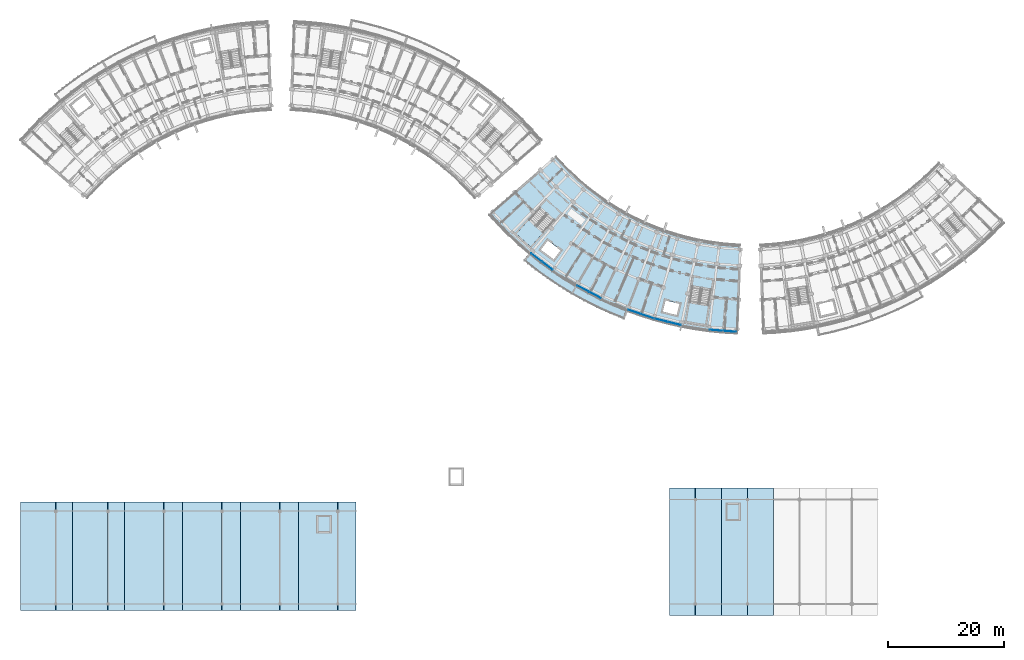
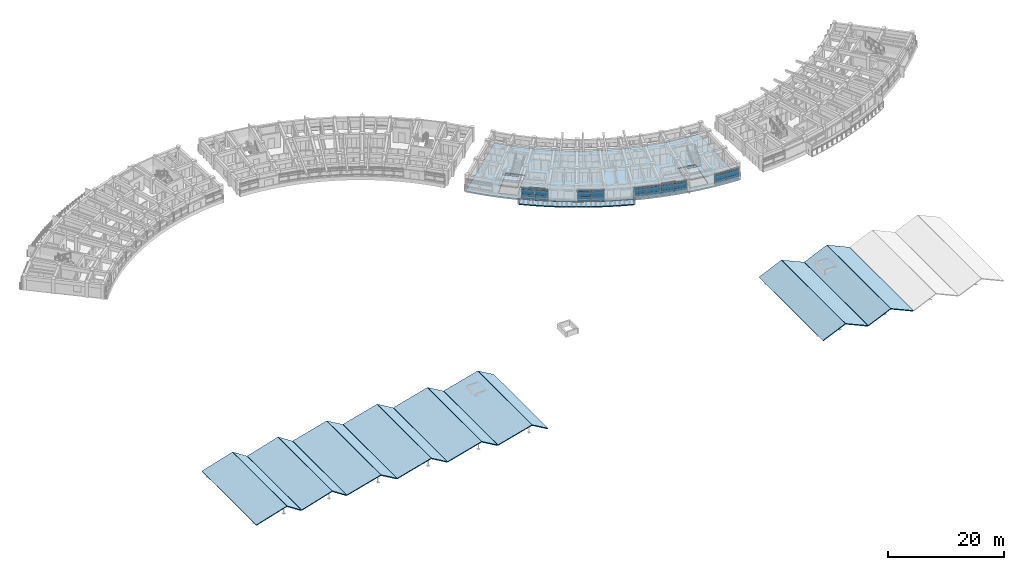
# One storey, part 31 of 70: 30 plates, 20 slabs, 7 elements without a shape of their own.
"""IFC4 building model written with IfcOpenShell, lengths in metres."""

from ifc_helpers import new_model, si_unit, direction, frame, origin, origin_2d, place, context, subcontext, project, spatial, polyline, rectangle, outline, extrude, material, layer, layer_set, type_object, element, aggregate, save


model = new_model("IFC4")

# Units and contexts
model_context = context("Model", 3, precision=1e-05, world=origin(), true_north=direction((0.0, 1.0)))
body_context = subcontext(model_context, "Body", "Model", "MODEL_VIEW")
ifc_project = project(units=[si_unit("LENGTHUNIT", "METRE"), si_unit("AREAUNIT", "SQUARE_METRE"), si_unit("VOLUMEUNIT", "CUBIC_METRE"), si_unit("PLANEANGLEUNIT", "RADIAN"), si_unit("MASSUNIT", "GRAM", prefix="KILO")], contexts=[model_context])

# Site, building, storey
site_placement = place(None, origin())
site = spatial("IfcSite", under=ifc_project, at=site_placement, CompositionType="ELEMENT")
building_placement = place(site_placement, origin())
building = spatial("IfcBuilding", under=site, at=building_placement, Name="Zimvara Arc Housing Community", CompositionType="ELEMENT")
storey_placement = place(building_placement, frame((0.0, 0.0, 8.10009765625)))
storey = spatial("IfcBuildingStorey", under=building, at=storey_placement, Name="L02", CompositionType="ELEMENT", Elevation=8.10009765625)

# Curtain wall, plates
ifc_material_1 = material(Name="Anodised Aluminium AW-6063", Category="aluminium")
curtain_wall_type_1 = type_object("IfcCurtainWallType", Name="CW-SYS-05", PredefinedType="USERDEFINED", material=ifc_material_1)
curtain_wall_1_placement = place(storey_placement, origin())
curtain_wall_1 = element("IfcCurtainWall", 1, at=curtain_wall_1_placement, inside=storey, type_object=curtain_wall_type_1, Name="cw:blkC:L02:out:b6", ObjectType="CURTAIN WALL", PredefinedType="USERDEFINED")
ifc_material_2 = material(Name="Solar Control Low-E Double Glazing", Category="glass")
ifc_layer_1 = layer(ifc_material_2, 0.02392578125)
ifc_layer_set_1 = layer_set([ifc_layer_1], Name="Solar Control Low-E Double Glazing")
plate_type_1 = type_object("IfcPlateType", Name="CWP-GLZ-24", PredefinedType="CURTAIN_PANEL", material=ifc_layer_set_1)
plate_1_placement = place(storey_placement, frame((105.970458984375, 53.993408203125, 0.06494140625), z_axis=(0.0, 0.0, 1.0), x_axis=(0.947879647164, -0.318628583921, 0.0)))
plate_1 = element("IfcPlate", 2, at=plate_1_placement, type_object=plate_type_1, Name="CW05 panel 1.1", PredefinedType="CURTAIN_PANEL", context=body_context, shape_type="SweptSolid", body=[
    extrude(rectangle(XDim=2.266845703125, YDim=0.02392578125, at=origin_2d()), origin(), (0.0, 0.0, 1.0), 0.75244140625),
])
plate_2_placement = place(storey_placement, frame((105.970458984375, 53.993408203125, 0.88232421875), z_axis=(0.0, 0.0, 1.0), x_axis=(0.947879647164, -0.318628583921, 0.0)))
plate_2 = element("IfcPlate", 3, at=plate_2_placement, type_object=plate_type_1, Name="CW05 panel 1.2", PredefinedType="CURTAIN_PANEL", context=body_context, shape_type="SweptSolid", body=[
    extrude(rectangle(XDim=2.266845703125, YDim=0.02392578125, at=origin_2d()), origin(), (0.0, 0.0, 1.0), 0.885009765625),
])
plate_3_placement = place(storey_placement, frame((105.970458984375, 53.993408203125, 1.832275390625), z_axis=(0.0, 0.0, 1.0), x_axis=(0.947879647164, -0.318628583921, 0.0)))
plate_3 = element("IfcPlate", 4, at=plate_3_placement, type_object=plate_type_1, Name="CW05 panel 1.3", PredefinedType="CURTAIN_PANEL", context=body_context, shape_type="SweptSolid", body=[
    extrude(rectangle(XDim=2.266845703125, YDim=0.02392578125, at=origin_2d()), origin(), (0.0, 0.0, 1.0), 0.3525390625),
])
plate_4_placement = place(storey_placement, frame((108.180908203125, 53.250244140625, 0.06494140625), z_axis=(0.0, 0.0, 1.0), x_axis=(0.947879647164, -0.318628583921, 0.0)))
plate_4 = element("IfcPlate", 5, at=plate_4_placement, type_object=plate_type_1, Name="CW05 panel 2.1", PredefinedType="CURTAIN_PANEL", context=body_context, shape_type="SweptSolid", body=[
    extrude(rectangle(XDim=2.266845703125, YDim=0.02392578125, at=origin_2d()), origin(), (0.0, 0.0, 1.0), 0.75244140625),
])
plate_5_placement = place(storey_placement, frame((108.180908203125, 53.250244140625, 0.88232421875), z_axis=(0.0, 0.0, 1.0), x_axis=(0.947879647164, -0.318628583921, 0.0)))
plate_5 = element("IfcPlate", 6, at=plate_5_placement, type_object=plate_type_1, Name="CW05 panel 2.2", PredefinedType="CURTAIN_PANEL", context=body_context, shape_type="SweptSolid", body=[
    extrude(rectangle(XDim=2.266845703125, YDim=0.02392578125, at=origin_2d()), origin(), (0.0, 0.0, 1.0), 0.885009765625),
])
plate_6_placement = place(storey_placement, frame((108.180908203125, 53.250244140625, 1.832275390625), z_axis=(0.0, 0.0, 1.0), x_axis=(0.947879647164, -0.318628583921, 0.0)))
plate_6 = element("IfcPlate", 7, at=plate_6_placement, type_object=plate_type_1, Name="CW05 panel 2.3", PredefinedType="CURTAIN_PANEL", context=body_context, shape_type="SweptSolid", body=[
    extrude(rectangle(XDim=2.266845703125, YDim=0.02392578125, at=origin_2d()), origin(), (0.0, 0.0, 1.0), 0.3525390625),
])
aggregate(curtain_wall_1, [plate_1, plate_2, plate_3, plate_4, plate_5, plate_6])

ifc_material_3 = material(Name="Anodised Aluminium AW-6063", Category="aluminium")
curtain_wall_type_2 = type_object("IfcCurtainWallType", Name="CW-SYS-01", PredefinedType="USERDEFINED", material=ifc_material_3)
curtain_wall_2_placement = place(storey_placement, origin())
curtain_wall_2 = element("IfcCurtainWall", 8, at=curtain_wall_2_placement, inside=storey, type_object=curtain_wall_type_2, Name="cw:blkC:L02:out:b9", ObjectType="CURTAIN WALL", PredefinedType="USERDEFINED")
plate_7_placement = place(storey_placement, frame((120.121337890625, 50.807861328125, 0.06494140625), z_axis=(0.0, 0.0, 1.0), x_axis=(0.996862418963, -0.079153759607, 0.0)))
plate_7 = element("IfcPlate", 9, at=plate_7_placement, type_object=plate_type_1, Name="CW01 panel 1.1", PredefinedType="CURTAIN_PANEL", context=body_context, shape_type="SweptSolid", body=[
    extrude(rectangle(XDim=2.266845703125, YDim=0.02392578125, at=origin_2d()), origin(), (0.0, 0.0, 1.0), 0.75244140625),
])
plate_8_placement = place(storey_placement, frame((120.121337890625, 50.807861328125, 0.88232421875), z_axis=(0.0, 0.0, 1.0), x_axis=(0.996862418963, -0.079153759607, 0.0)))
plate_8 = element("IfcPlate", 10, at=plate_8_placement, type_object=plate_type_1, Name="CW01 panel 1.2", PredefinedType="CURTAIN_PANEL", context=body_context, shape_type="SweptSolid", body=[
    extrude(rectangle(XDim=2.266845703125, YDim=0.02392578125, at=origin_2d()), origin(), (0.0, 0.0, 1.0), 0.885009765625),
])
plate_9_placement = place(storey_placement, frame((120.121337890625, 50.807861328125, 1.832275390625), z_axis=(0.0, 0.0, 1.0), x_axis=(0.996862418963, -0.079153759607, 0.0)))
plate_9 = element("IfcPlate", 11, at=plate_9_placement, type_object=plate_type_1, Name="CW01 panel 1.3", PredefinedType="CURTAIN_PANEL", context=body_context, shape_type="SweptSolid", body=[
    extrude(rectangle(XDim=2.266845703125, YDim=0.02392578125, at=origin_2d()), origin(), (0.0, 0.0, 1.0), 0.3525390625),
])
plate_10_placement = place(storey_placement, frame((122.446044921875, 50.623291015625, 0.06494140625), z_axis=(0.0, 0.0, 1.0), x_axis=(0.996862418963, -0.079153759607, 0.0)))
plate_10 = element("IfcPlate", 12, at=plate_10_placement, type_object=plate_type_1, Name="CW01 panel 2.1", PredefinedType="CURTAIN_PANEL", context=body_context, shape_type="SweptSolid", body=[
    extrude(rectangle(XDim=2.266845703125, YDim=0.02392578125, at=origin_2d()), origin(), (0.0, 0.0, 1.0), 0.75244140625),
])
plate_11_placement = place(storey_placement, frame((122.446044921875, 50.623291015625, 0.88232421875), z_axis=(0.0, 0.0, 1.0), x_axis=(0.996862418963, -0.079153759607, 0.0)))
plate_11 = element("IfcPlate", 13, at=plate_11_placement, type_object=plate_type_1, Name="CW01 panel 2.2", PredefinedType="CURTAIN_PANEL", context=body_context, shape_type="SweptSolid", body=[
    extrude(rectangle(XDim=2.266845703125, YDim=0.02392578125, at=origin_2d()), origin(), (0.0, 0.0, 1.0), 0.885009765625),
])
plate_12_placement = place(storey_placement, frame((122.446044921875, 50.623291015625, 1.832275390625), z_axis=(0.0, 0.0, 1.0), x_axis=(0.996862418963, -0.079153759607, 0.0)))
plate_12 = element("IfcPlate", 14, at=plate_12_placement, type_object=plate_type_1, Name="CW01 panel 2.3", PredefinedType="CURTAIN_PANEL", context=body_context, shape_type="SweptSolid", body=[
    extrude(rectangle(XDim=2.266845703125, YDim=0.02392578125, at=origin_2d()), origin(), (0.0, 0.0, 1.0), 0.3525390625),
])
aggregate(curtain_wall_2, [plate_7, plate_8, plate_9, plate_10, plate_11, plate_12])

ifc_material_4 = material(Name="Anodised Aluminium AW-6063", Category="aluminium")
curtain_wall_type_3 = type_object("IfcCurtainWallType", Name="CW-SYS-02", PredefinedType="USERDEFINED", material=ifc_material_4)
curtain_wall_3_placement = place(storey_placement, origin())
curtain_wall_3 = element("IfcCurtainWall", 15, at=curtain_wall_3_placement, inside=storey, type_object=curtain_wall_type_3, Name="cw:blkC:L02:out:b4", ObjectType="CURTAIN WALL", PredefinedType="USERDEFINED")
ifc_material_5 = material(Name="Solar Control Low-E Double Glazing", Category="glass")
ifc_layer_2 = layer(ifc_material_5, 0.028076171875)
ifc_layer_set_2 = layer_set([ifc_layer_2], Name="Solar Control Low-E Double Glazing")
plate_type_2 = type_object("IfcPlateType", Name="CWP-GLZ-28", PredefinedType="CURTAIN_PANEL", material=ifc_layer_set_2)
plate_13_placement = place(storey_placement, frame((97.15087890625, 57.991455078125, 0.06494140625), z_axis=(0.0, 0.0, 1.0), x_axis=(0.883438614651, -0.468546917761, 0.0)))
plate_13 = element("IfcPlate", 16, at=plate_13_placement, type_object=plate_type_2, Name="CW02 panel 1.1", PredefinedType="CURTAIN_PANEL", context=body_context, shape_type="SweptSolid", body=[
    extrude(rectangle(XDim=2.266845703125, YDim=0.028076171875, at=origin_2d()), origin(), (0.0, 0.0, 1.0), 0.75244140625),
])
plate_14_placement = place(storey_placement, frame((97.15087890625, 57.991455078125, 0.88232421875), z_axis=(0.0, 0.0, 1.0), x_axis=(0.883438614651, -0.468546917761, 0.0)))
plate_14 = element("IfcPlate", 17, at=plate_14_placement, type_object=plate_type_2, Name="CW02 panel 1.2", PredefinedType="CURTAIN_PANEL", context=body_context, shape_type="SweptSolid", body=[
    extrude(rectangle(XDim=2.266845703125, YDim=0.028076171875, at=origin_2d()), origin(), (0.0, 0.0, 1.0), 0.885009765625),
])
plate_15_placement = place(storey_placement, frame((97.15087890625, 57.991455078125, 1.832275390625), z_axis=(0.0, 0.0, 1.0), x_axis=(0.883438614651, -0.468546917761, 0.0)))
plate_15 = element("IfcPlate", 18, at=plate_15_placement, type_object=plate_type_2, Name="CW02 panel 1.3", PredefinedType="CURTAIN_PANEL", context=body_context, shape_type="SweptSolid", body=[
    extrude(rectangle(XDim=2.266845703125, YDim=0.028076171875, at=origin_2d()), origin(), (0.0, 0.0, 1.0), 0.3525390625),
])
plate_16_placement = place(storey_placement, frame((99.2109375, 56.89892578125, 0.06494140625), z_axis=(0.0, 0.0, 1.0), x_axis=(0.883438614651, -0.468546917761, 0.0)))
plate_16 = element("IfcPlate", 19, at=plate_16_placement, type_object=plate_type_2, Name="CW02 panel 2.1", PredefinedType="CURTAIN_PANEL", context=body_context, shape_type="SweptSolid", body=[
    extrude(rectangle(XDim=2.266845703125, YDim=0.028076171875, at=origin_2d()), origin(), (0.0, 0.0, 1.0), 0.75244140625),
])
plate_17_placement = place(storey_placement, frame((99.2109375, 56.89892578125, 0.88232421875), z_axis=(0.0, 0.0, 1.0), x_axis=(0.883438614651, -0.468546917761, 0.0)))
plate_17 = element("IfcPlate", 20, at=plate_17_placement, type_object=plate_type_2, Name="CW02 panel 2.2", PredefinedType="CURTAIN_PANEL", context=body_context, shape_type="SweptSolid", body=[
    extrude(rectangle(XDim=2.266845703125, YDim=0.028076171875, at=origin_2d()), origin(), (0.0, 0.0, 1.0), 0.885009765625),
])
plate_18_placement = place(storey_placement, frame((99.2109375, 56.89892578125, 1.832275390625), z_axis=(0.0, 0.0, 1.0), x_axis=(0.883438614651, -0.468546917761, 0.0)))
plate_18 = element("IfcPlate", 21, at=plate_18_placement, type_object=plate_type_2, Name="CW02 panel 2.3", PredefinedType="CURTAIN_PANEL", context=body_context, shape_type="SweptSolid", body=[
    extrude(rectangle(XDim=2.266845703125, YDim=0.028076171875, at=origin_2d()), origin(), (0.0, 0.0, 1.0), 0.3525390625),
])
aggregate(curtain_wall_3, [plate_13, plate_14, plate_15, plate_16, plate_17, plate_18])

ifc_material_6 = material(Name="Anodised Aluminium AW-6063", Category="aluminium")
curtain_wall_type_4 = type_object("IfcCurtainWallType", Name="CW-SYS-07", PredefinedType="USERDEFINED", material=ifc_material_6)
curtain_wall_4_placement = place(storey_placement, origin())
curtain_wall_4 = element("IfcCurtainWall", 22, at=curtain_wall_4_placement, inside=storey, type_object=curtain_wall_type_4, Name="cw:blkC:L02:out:b2", ObjectType="CURTAIN WALL", PredefinedType="USERDEFINED")
ifc_material_7 = material(Name="Acoustic Laminated Solar Glazing", Category="glass")
ifc_layer_3 = layer(ifc_material_7, 0.031982421875)
ifc_layer_set_3 = layer_set([ifc_layer_3], Name="Acoustic Laminated Solar Glazing")
plate_type_3 = type_object("IfcPlateType", Name="CWP-GLZ-32", PredefinedType="CURTAIN_PANEL", material=ifc_layer_set_3)
plate_19_placement = place(storey_placement, frame((89.098876953125, 63.370849609375, 0.06494140625), z_axis=(0.0, 0.0, 1.0), x_axis=(0.795473999177, -0.60598771987, 0.0)))
plate_19 = element("IfcPlate", 23, at=plate_19_placement, type_object=plate_type_3, Name="CW07 panel 1.1", PredefinedType="CURTAIN_PANEL", context=body_context, shape_type="SweptSolid", body=[
    extrude(rectangle(XDim=2.266845703125, YDim=0.031982421875, at=origin_2d()), origin(), (0.0, 0.0, 1.0), 0.75244140625),
])
plate_20_placement = place(storey_placement, frame((89.098876953125, 63.370849609375, 0.88232421875), z_axis=(0.0, 0.0, 1.0), x_axis=(0.795473999177, -0.60598771987, 0.0)))
plate_20 = element("IfcPlate", 24, at=plate_20_placement, type_object=plate_type_3, Name="CW07 panel 1.2", PredefinedType="CURTAIN_PANEL", context=body_context, shape_type="SweptSolid", body=[
    extrude(rectangle(XDim=2.266845703125, YDim=0.031982421875, at=origin_2d()), origin(), (0.0, 0.0, 1.0), 0.885009765625),
])
plate_21_placement = place(storey_placement, frame((89.098876953125, 63.370849609375, 1.832275390625), z_axis=(0.0, 0.0, 1.0), x_axis=(0.795473999177, -0.60598771987, 0.0)))
plate_21 = element("IfcPlate", 25, at=plate_21_placement, type_object=plate_type_3, Name="CW07 panel 1.3", PredefinedType="CURTAIN_PANEL", context=body_context, shape_type="SweptSolid", body=[
    extrude(rectangle(XDim=2.266845703125, YDim=0.031982421875, at=origin_2d()), origin(), (0.0, 0.0, 1.0), 0.3525390625),
])
plate_22_placement = place(storey_placement, frame((90.953857421875, 61.95751953125, 0.06494140625), z_axis=(0.0, 0.0, 1.0), x_axis=(0.795473999177, -0.60598771987, 0.0)))
plate_22 = element("IfcPlate", 26, at=plate_22_placement, type_object=plate_type_3, Name="CW07 panel 2.1", PredefinedType="CURTAIN_PANEL", context=body_context, shape_type="SweptSolid", body=[
    extrude(rectangle(XDim=2.266845703125, YDim=0.031982421875, at=origin_2d()), origin(), (0.0, 0.0, 1.0), 0.75244140625),
])
plate_23_placement = place(storey_placement, frame((90.953857421875, 61.95751953125, 0.88232421875), z_axis=(0.0, 0.0, 1.0), x_axis=(0.795473999177, -0.60598771987, 0.0)))
plate_23 = element("IfcPlate", 27, at=plate_23_placement, type_object=plate_type_3, Name="CW07 panel 2.2", PredefinedType="CURTAIN_PANEL", context=body_context, shape_type="SweptSolid", body=[
    extrude(rectangle(XDim=2.266845703125, YDim=0.031982421875, at=origin_2d()), origin(), (0.0, 0.0, 1.0), 0.885009765625),
])
plate_24_placement = place(storey_placement, frame((90.953857421875, 61.95751953125, 1.832275390625), z_axis=(0.0, 0.0, 1.0), x_axis=(0.795473999177, -0.60598771987, 0.0)))
plate_24 = element("IfcPlate", 28, at=plate_24_placement, type_object=plate_type_3, Name="CW07 panel 2.3", PredefinedType="CURTAIN_PANEL", context=body_context, shape_type="SweptSolid", body=[
    extrude(rectangle(XDim=2.266845703125, YDim=0.031982421875, at=origin_2d()), origin(), (0.0, 0.0, 1.0), 0.3525390625),
])
aggregate(curtain_wall_4, [plate_19, plate_20, plate_21, plate_22, plate_23, plate_24])

curtain_wall_5_placement = place(storey_placement, origin())
curtain_wall_5 = element("IfcCurtainWall", 29, at=curtain_wall_5_placement, inside=storey, type_object=curtain_wall_type_4, Name="cw:blkC:L02:out:b7", ObjectType="CURTAIN WALL", PredefinedType="USERDEFINED")
plate_25_placement = place(storey_placement, frame((110.59521484375, 52.547119140625, 0.06494140625), z_axis=(0.0, 0.0, 1.0), x_axis=(0.970716068627, -0.240229711131, 0.0)))
plate_25 = element("IfcPlate", 30, at=plate_25_placement, type_object=plate_type_3, Name="CW07 panel 1.1", PredefinedType="CURTAIN_PANEL", context=body_context, shape_type="SweptSolid", body=[
    extrude(rectangle(XDim=2.266845703125, YDim=0.031982421875, at=origin_2d()), origin(), (0.0, 0.0, 1.0), 0.75244140625),
])
plate_26_placement = place(storey_placement, frame((110.59521484375, 52.547119140625, 0.88232421875), z_axis=(0.0, 0.0, 1.0), x_axis=(0.970716068627, -0.240229711131, 0.0)))
plate_26 = element("IfcPlate", 31, at=plate_26_placement, type_object=plate_type_3, Name="CW07 panel 1.2", PredefinedType="CURTAIN_PANEL", context=body_context, shape_type="SweptSolid", body=[
    extrude(rectangle(XDim=2.266845703125, YDim=0.031982421875, at=origin_2d()), origin(), (0.0, 0.0, 1.0), 0.885009765625),
])
plate_27_placement = place(storey_placement, frame((110.59521484375, 52.547119140625, 1.832275390625), z_axis=(0.0, 0.0, 1.0), x_axis=(0.970716068627, -0.240229711131, 0.0)))
plate_27 = element("IfcPlate", 32, at=plate_27_placement, type_object=plate_type_3, Name="CW07 panel 1.3", PredefinedType="CURTAIN_PANEL", context=body_context, shape_type="SweptSolid", body=[
    extrude(rectangle(XDim=2.266845703125, YDim=0.031982421875, at=origin_2d()), origin(), (0.0, 0.0, 1.0), 0.3525390625),
])
plate_28_placement = place(storey_placement, frame((112.85888671875, 51.98681640625, 0.06494140625), z_axis=(0.0, 0.0, 1.0), x_axis=(0.970716068627, -0.240229711131, 0.0)))
plate_28 = element("IfcPlate", 33, at=plate_28_placement, type_object=plate_type_3, Name="CW07 panel 2.1", PredefinedType="CURTAIN_PANEL", context=body_context, shape_type="SweptSolid", body=[
    extrude(rectangle(XDim=2.266845703125, YDim=0.031982421875, at=origin_2d()), origin(), (0.0, 0.0, 1.0), 0.75244140625),
])
plate_29_placement = place(storey_placement, frame((112.85888671875, 51.98681640625, 0.88232421875), z_axis=(0.0, 0.0, 1.0), x_axis=(0.970716068627, -0.240229711131, 0.0)))
plate_29 = element("IfcPlate", 34, at=plate_29_placement, type_object=plate_type_3, Name="CW07 panel 2.2", PredefinedType="CURTAIN_PANEL", context=body_context, shape_type="SweptSolid", body=[
    extrude(rectangle(XDim=2.266845703125, YDim=0.031982421875, at=origin_2d()), origin(), (0.0, 0.0, 1.0), 0.885009765625),
])
plate_30_placement = place(storey_placement, frame((112.85888671875, 51.98681640625, 1.832275390625), z_axis=(0.0, 0.0, 1.0), x_axis=(0.970716068627, -0.240229711131, 0.0)))
plate_30 = element("IfcPlate", 35, at=plate_30_placement, type_object=plate_type_3, Name="CW07 panel 2.3", PredefinedType="CURTAIN_PANEL", context=body_context, shape_type="SweptSolid", body=[
    extrude(rectangle(XDim=2.266845703125, YDim=0.031982421875, at=origin_2d()), origin(), (0.0, 0.0, 1.0), 0.3525390625),
])
aggregate(curtain_wall_5, [plate_25, plate_26, plate_27, plate_28, plate_29, plate_30])

# Slabs
ifc_material_8 = material(Name="Concrete C40/50", Category="concrete")
ifc_layer_4 = layer(ifc_material_8, 0.175048828125)
ifc_layer_set_4 = layer_set([ifc_layer_4], Name="Concrete C40/50")
slab_type_1 = type_object("IfcSlabType", Name="SLB-BTF-ROOF-175", PredefinedType="ROOF", material=ifc_layer_set_4)
slab_1_placement = place(storey_placement, frame((112.02001953125, 1.60009765625, -0.35009765625), z_axis=(-0.409176369863, 0.0, 0.912455313068), x_axis=(0.912455313068, 0.0, 0.409176369863)))
element("IfcSlab", 36, at=slab_1_placement, inside=storey, type_object=slab_type_1, Name="roof:nursery:wave:b0:w", PredefinedType="ROOF", context=body_context, shape_type="SweptSolid", body=[
    extrude(outline(polyline([(0.0, 0.0), (4.887867793222918, 0.0), (4.887867793222918, 22.000000000000004), (0.0, 22.000000000000004), (0.0, 0.0)])), origin(), (0.0, 0.0, -1.0), 0.175048828125),
])
slab_2_placement = place(storey_placement, frame((116.52001953125, 23.60009765625, 1.64990234375), z_axis=(0.409176369863, 0.0, 0.912455313068), x_axis=(0.912455313068, 0.0, -0.409176369863)))
element("IfcSlab", 37, at=slab_2_placement, inside=storey, type_object=slab_type_1, Name="roof:nursery:wave:b0:e", PredefinedType="ROOF", context=body_context, shape_type="SweptSolid", body=[
    extrude(outline(polyline([(0.0, 0.0), (4.887867793222918, 0.0), (4.887867793222918, -22.000000000000004), (0.0, -22.000000000000004), (0.0, 0.0)])), origin(), (0.0, 0.0, -1.0), 0.175048828125),
])
slab_3_placement = place(storey_placement, frame((121.02001953125, 1.60009765625, -0.35009765625), z_axis=(-0.409176369863, 0.0, 0.912455313068), x_axis=(0.912455313068, 0.0, 0.409176369863)))
element("IfcSlab", 38, at=slab_3_placement, inside=storey, type_object=slab_type_1, Name="roof:nursery:wave:b1:w", PredefinedType="ROOF", context=body_context, shape_type="SweptSolid", body=[
    extrude(outline(polyline([(0.0, 0.0), (4.887867793222918, 0.0), (4.887867793222918, 22.000000000000004), (0.0, 22.000000000000004), (0.0, 0.0)])), origin(), (0.0, 0.0, -1.0), 0.175048828125),
])
slab_4_placement = place(storey_placement, frame((125.52001953125, 23.60009765625, 1.64990234375), z_axis=(0.409176369863, 0.0, 0.912455313068), x_axis=(0.912455313068, 0.0, -0.409176369863)))
element("IfcSlab", 39, at=slab_4_placement, inside=storey, type_object=slab_type_1, Name="roof:nursery:wave:b1:e", PredefinedType="ROOF", context=body_context, shape_type="SweptSolid", body=[
    extrude(outline(polyline([(0.0, 0.0), (4.887867793222918, 0.0), (4.887867793222918, -22.000000000000004), (0.0, -22.000000000000004), (0.0, 0.0)])), origin(), (0.0, 0.0, -1.0), 0.175048828125),
])
slab_5_placement = place(storey_placement, frame((0.02001953125, 2.5, -0.400146484375), z_axis=(-0.29110964198, 0.0, 0.956689697), x_axis=(0.956689697, 0.0, 0.29110964198)))
element("IfcSlab", 40, at=slab_5_placement, inside=storey, type_object=slab_type_1, Name="roof:shops:saw:b0:w", PredefinedType="ROOF", context=body_context, shape_type="SweptSolid", body=[
    extrude(outline(polyline([(0.0, 0.0), (6.355329365482583, 0.0), (6.355329365482583, 18.699951171875), (0.0, 18.699951171875), (0.0, 0.0)])), origin(), (0.0, 0.0, -1.0), 0.175048828125),
])
slab_6_placement = place(storey_placement, frame((6.139892578125, 21.199951171875, 1.449951171875), z_axis=(0.545826081064, 0.0, 0.83789849578), x_axis=(0.83789849578, 0.0, -0.545826081064)))
element("IfcSlab", 41, at=slab_6_placement, inside=storey, type_object=slab_type_1, Name="roof:shops:saw:b0:e", PredefinedType="ROOF", context=body_context, shape_type="SweptSolid", body=[
    extrude(outline(polyline([(0.0, 0.0), (3.3895369247341893, 0.0), (3.3895369247341893, -18.699951171875), (0.0, -18.699951171875), (0.0, 0.0)])), origin(), (0.0, 0.0, -1.0), 0.175048828125),
])
slab_7_placement = place(storey_placement, frame((9.02001953125, 2.5, -0.400146484375), z_axis=(-0.29110964198, 0.0, 0.956689697), x_axis=(0.956689697, 0.0, 0.29110964198)))
element("IfcSlab", 42, at=slab_7_placement, inside=storey, type_object=slab_type_1, Name="roof:shops:saw:b1:w", PredefinedType="ROOF", context=body_context, shape_type="SweptSolid", body=[
    extrude(outline(polyline([(0.0, 0.0), (6.355329365482583, 0.0), (6.355329365482583, 18.699951171875), (0.0, 18.699951171875), (0.0, 0.0)])), origin(), (0.0, 0.0, -1.0), 0.175048828125),
])
slab_8_placement = place(storey_placement, frame((15.139892578125, 21.199951171875, 1.449951171875), z_axis=(0.545826081064, 0.0, 0.83789849578), x_axis=(0.83789849578, 0.0, -0.545826081064)))
element("IfcSlab", 43, at=slab_8_placement, inside=storey, type_object=slab_type_1, Name="roof:shops:saw:b1:e", PredefinedType="ROOF", context=body_context, shape_type="SweptSolid", body=[
    extrude(outline(polyline([(0.0, 0.0), (3.3895369247341893, 0.0), (3.3895369247341893, -18.699951171875), (0.0, -18.699951171875), (0.0, 0.0)])), origin(), (0.0, 0.0, -1.0), 0.175048828125),
])
slab_9_placement = place(storey_placement, frame((18.02001953125, 2.5, -0.400146484375), z_axis=(-0.263975031749, 0.0, 0.964529513604), x_axis=(0.964529513604, 0.0, 0.263975031749)))
element("IfcSlab", 44, at=slab_9_placement, inside=storey, type_object=slab_type_1, Name="roof:shops:saw:b2:w", PredefinedType="ROOF", context=body_context, shape_type="SweptSolid", body=[
    extrude(outline(polyline([(0.0, 0.0), (7.008608518743726, 0.0), (7.008608518743726, 18.699951171875), (0.0, 18.699951171875), (0.0, 0.0)])), origin(), (0.0, 0.0, -1.0), 0.175048828125),
])
slab_10_placement = place(storey_placement, frame((24.820068359375, 21.199951171875, 1.449951171875), z_axis=(0.505259137868, 0.0, 0.862967672396), x_axis=(0.862967672396, 0.0, -0.505259137868)))
element("IfcSlab", 45, at=slab_10_placement, inside=storey, type_object=slab_type_1, Name="roof:shops:saw:b2:e", PredefinedType="ROOF", context=body_context, shape_type="SweptSolid", body=[
    extrude(outline(polyline([(0.0, 0.0), (3.661680744772338, 0.0), (3.661680744772338, -18.699951171875004), (0.0, -18.699951171875004), (0.0, 0.0)])), origin(), (0.0, 0.0, -1.0), 0.175048828125),
])
slab_11_placement = place(storey_placement, frame((28.02001953125, 2.5, -0.400146484375), z_axis=(-0.263975031749, 0.0, 0.964529513604), x_axis=(0.964529513604, 0.0, 0.263975031749)))
element("IfcSlab", 46, at=slab_11_placement, inside=storey, type_object=slab_type_1, Name="roof:shops:saw:b3:w", PredefinedType="ROOF", context=body_context, shape_type="SweptSolid", body=[
    extrude(outline(polyline([(0.0, 0.0), (7.008608518743726, 0.0), (7.008608518743726, 18.699951171875), (0.0, 18.699951171875), (0.0, 0.0)])), origin(), (0.0, 0.0, -1.0), 0.175048828125),
])
slab_12_placement = place(storey_placement, frame((34.820068359375, 21.199951171875, 1.449951171875), z_axis=(0.505259137868, 0.0, 0.862967672396), x_axis=(0.862967672396, 0.0, -0.505259137868)))
element("IfcSlab", 47, at=slab_12_placement, inside=storey, type_object=slab_type_1, Name="roof:shops:saw:b3:e", PredefinedType="ROOF", context=body_context, shape_type="SweptSolid", body=[
    extrude(outline(polyline([(0.0, 0.0), (3.661680744772338, 0.0), (3.661680744772338, -18.699951171875004), (0.0, -18.699951171875004), (0.0, 0.0)])), origin(), (0.0, 0.0, -1.0), 0.175048828125),
])
slab_13_placement = place(storey_placement, frame((38.02001953125, 2.5, -0.400146484375), z_axis=(-0.263975031749, 0.0, 0.964529513604), x_axis=(0.964529513604, 0.0, 0.263975031749)))
element("IfcSlab", 48, at=slab_13_placement, inside=storey, type_object=slab_type_1, Name="roof:shops:saw:b4:w", PredefinedType="ROOF", context=body_context, shape_type="SweptSolid", body=[
    extrude(outline(polyline([(0.0, 0.0), (7.008608518743726, 0.0), (7.008608518743726, 18.699951171875), (0.0, 18.699951171875), (0.0, 0.0)])), origin(), (0.0, 0.0, -1.0), 0.175048828125),
])
slab_14_placement = place(storey_placement, frame((44.820068359375, 21.199951171875, 1.449951171875), z_axis=(0.505259137868, 0.0, 0.862967672396), x_axis=(0.862967672396, 0.0, -0.505259137868)))
element("IfcSlab", 49, at=slab_14_placement, inside=storey, type_object=slab_type_1, Name="roof:shops:saw:b4:e", PredefinedType="ROOF", context=body_context, shape_type="SweptSolid", body=[
    extrude(outline(polyline([(0.0, 0.0), (3.661680744772338, 0.0), (3.661680744772338, -18.699951171875004), (0.0, -18.699951171875004), (0.0, 0.0)])), origin(), (0.0, 0.0, -1.0), 0.175048828125),
])
slab_15_placement = place(storey_placement, frame((48.02001953125, 2.5, -0.400146484375), z_axis=(-0.263975031749, 0.0, 0.964529513604), x_axis=(0.964529513604, 0.0, 0.263975031749)))
element("IfcSlab", 50, at=slab_15_placement, inside=storey, type_object=slab_type_1, Name="roof:shops:saw:b5:w", PredefinedType="ROOF", context=body_context, shape_type="SweptSolid", body=[
    extrude(outline(polyline([(0.0, 0.0), (7.008608518743726, 0.0), (7.008608518743726, 18.699951171875), (0.0, 18.699951171875), (0.0, 0.0)])), origin(), (0.0, 0.0, -1.0), 0.175048828125),
])
slab_16_placement = place(storey_placement, frame((54.820068359375, 21.199951171875, 1.449951171875), z_axis=(0.505259137868, 0.0, 0.862967672396), x_axis=(0.862967672396, 0.0, -0.505259137868)))
element("IfcSlab", 51, at=slab_16_placement, inside=storey, type_object=slab_type_1, Name="roof:shops:saw:b5:e", PredefinedType="ROOF", context=body_context, shape_type="SweptSolid", body=[
    extrude(outline(polyline([(0.0, 0.0), (3.661680744772338, 0.0), (3.661680744772338, -18.699951171875004), (0.0, -18.699951171875004), (0.0, 0.0)])), origin(), (0.0, 0.0, -1.0), 0.175048828125),
])

# Stair, slab
ifc_material_9 = material(Name="Concrete C35/45", Category="concrete")
stair_type_1 = type_object("IfcStairType", Name="STR-DL-318-310", PredefinedType="HALF_TURN_STAIR", material=ifc_material_9)
stair_1_placement = place(storey_placement, origin())
stair_1 = element("IfcStair", 52, at=stair_1_placement, inside=storey, type_object=stair_type_1, Name="L02 Block C Exit Stair 1", PredefinedType="HALF_TURN_STAIR")
ifc_material_10 = material(Name="Concrete C35/45", Category="concrete")
ifc_layer_5 = layer(ifc_material_10, 0.199951171875)
ifc_layer_set_5 = layer_set([ifc_layer_5], Name="Concrete C35/45")
slab_type_2 = type_object("IfcSlabType", Name="SLB-STAIR-LND-200", PredefinedType="LANDING", material=ifc_layer_set_5)
slab_17_placement = place(storey_placement, frame((0.0, 0.0, 1.349853515625)))
slab_17 = element("IfcSlab", 53, at=slab_17_placement, type_object=slab_type_2, Name="ST-C1 landing 1", PredefinedType="LANDING", context=body_context, shape_type="SweptSolid", body=[
    extrude(outline(polyline([(87.794677734375, 69.932861328125), (85.575439453125, 67.46630859375), (88.0732421875, 65.218994140625), (90.29248046875, 67.685546875), (87.794677734375, 69.932861328125)])), origin(), (0.0, 0.0, 1.0), 0.199951171875),
])
aggregate(stair_1, [slab_17])

ifc_material_11 = material(Name="Concrete C35/45", Category="concrete")
stair_type_2 = type_object("IfcStairType", Name="STR-DL-310-310", PredefinedType="HALF_TURN_STAIR", material=ifc_material_11)
stair_2_placement = place(storey_placement, origin())
stair_2 = element("IfcStair", 54, at=stair_2_placement, inside=storey, type_object=stair_type_2, Name="L02 Block C Exit Stair 2", PredefinedType="HALF_TURN_STAIR")
slab_18_placement = place(storey_placement, frame((0.0, 0.0, 1.349853515625)))
slab_18 = element("IfcSlab", 55, at=slab_18_placement, type_object=slab_type_2, Name="ST-C2 landing 1", PredefinedType="LANDING", context=body_context, shape_type="SweptSolid", body=[
    extrude(outline(polyline([(115.4853515625, 55.691650390625), (114.942138671875, 52.345458984375), (118.2587890625, 51.80712890625), (118.8017578125, 55.1533203125), (115.4853515625, 55.691650390625)])), origin(), (0.0, 0.0, 1.0), 0.199951171875),
])
aggregate(stair_2, [slab_18])

# Slabs
ifc_material_12 = material(Name="Concrete C35/45", Category="concrete")
ifc_layer_6 = layer(ifc_material_12, 0.2099609375)
ifc_layer_set_6 = layer_set([ifc_layer_6], Name="Concrete C35/45")
slab_type_3 = type_object("IfcSlabType", Name="SLB-TER-210", PredefinedType="FLOOR", material=ifc_layer_set_6)
slab_19_placement = place(storey_placement, frame((0.0, 0.0, -0.210205078125)))
element("IfcSlab", 56, at=slab_19_placement, inside=storey, type_object=slab_type_3, Name="slab:blkC:L02:bal_out", PredefinedType="FLOOR", context=body_context, shape_type="SweptSolid", body=[
    extrude(outline(polyline([(104.688232421875, 54.160888671875), (104.687744140625, 54.1611328125), (102.432373046875, 55.076416015625), (102.431396484375, 55.076904296875), (100.21533203125, 56.08349609375), (100.214111328125, 56.083984375), (98.041015625, 57.18017578125), (98.0400390625, 57.180908203125), (95.91357421875, 58.364990234375), (95.912353515625, 58.365478515625), (93.836181640625, 59.635498046875), (93.8349609375, 59.63623046875), (91.812255859375, 60.98974609375), (91.811279296875, 60.990478515625), (89.845458984375, 62.425537109375), (89.844482421875, 62.42626953125), (87.938720703125, 63.9404296875), (87.938232421875, 63.94091796875), (87.00048828125, 62.808837890625), (87.969482421875, 62.022705078125), (88.9541015625, 61.256591796875), (89.954345703125, 60.5107421875), (90.969482421875, 59.785400390625), (91.999267578125, 59.080810546875), (93.043212890625, 58.397705078125), (94.100830078125, 57.73583984375), (95.171875, 57.095703125), (96.255615234375, 56.477783203125), (97.351806640625, 55.8818359375), (98.4599609375, 55.30859375), (99.57958984375, 54.758056640625), (100.710205078125, 54.23046875), (101.851318359375, 53.72607421875), (103.002685546875, 53.2451171875), (104.163330078125, 52.787841796875), (104.688232421875, 54.160888671875)])), origin(), (0.0, 0.0, 1.0), 0.210205078125),
])
ifc_material_13 = material(Name="Concrete C35/45", Category="concrete")
ifc_layer_7 = layer(ifc_material_13, 0.251953125)
ifc_layer_set_7 = layer_set([ifc_layer_7], Name="Concrete C35/45")
slab_type_4 = type_object("IfcSlabType", Name="SLB-VAR-09", PredefinedType="FLOOR", material=ifc_layer_set_7)
slab_20_placement = place(storey_placement, frame((0.0, 0.0, -0.252197265625)))
element("IfcSlab", 57, at=slab_20_placement, inside=storey, type_object=slab_type_4, Name="slab:blkC:L02:main", PredefinedType="FLOOR", context=body_context, shape_type="SweptSolid", body=[
    extrude(outline(polyline([(80.999267578125, 70.7587890625), (82.63330078125, 68.954833984375), (84.339599609375, 67.21923828125), (86.115234375, 65.5546875), (87.95751953125, 63.9638671875), (89.863037109375, 62.44970703125), (91.828857421875, 61.0146484375), (93.851806640625, 59.6611328125), (95.92822265625, 58.39111328125), (98.0546875, 57.20703125), (100.227783203125, 56.11083984375), (102.443603515625, 55.104248046875), (104.698974609375, 54.188720703125), (106.98974609375, 53.366455078125), (109.312255859375, 52.63818359375), (111.662353515625, 52.00537109375), (114.03662109375, 51.468994140625), (116.430419921875, 51.030029296875), (118.840576171875, 50.689208984375), (121.262451171875, 50.447021484375), (123.692138671875, 50.303955078125), (124.275634765625, 65.49267578125), (122.465576171875, 65.599365234375), (120.661376953125, 65.77978515625), (118.865966796875, 66.03369140625), (117.08251953125, 66.360595703125), (115.31396484375, 66.76025390625), (113.56298828125, 67.231689453125), (111.8330078125, 67.774169921875), (110.12646484375, 68.386962890625), (108.4462890625, 69.06884765625), (106.79541015625, 69.818603515625), (105.176513671875, 70.63525390625), (103.59228515625, 71.517333984375), (102.04541015625, 72.46337890625), (100.53857421875, 73.471923828125), (99.07421875, 74.541015625), (97.654541015625, 75.6689453125), (96.2822265625, 76.85400390625), (94.959228515625, 78.093994140625), (93.688232421875, 79.38720703125), (92.470947265625, 80.73095703125), (80.999267578125, 70.7587890625)]), holes=[polyline([(92.150390625, 69.81005859375), (88.070068359375, 65.275390625), (85.6318359375, 67.46923828125), (89.7119140625, 72.00390625), (92.150390625, 69.81005859375)]), polyline([(119.202880859375, 57.874267578125), (118.2255859375, 51.85302734375), (114.988037109375, 52.378662109375), (115.96533203125, 58.399658203125), (119.202880859375, 57.874267578125)]), polyline([(93.29541015625, 64.612060546875), (92.05908203125, 62.9892578125), (89.800048828125, 64.710205078125), (91.036376953125, 66.3330078125), (93.29541015625, 64.612060546875)]), polyline([(113.80810546875, 55.388916015625), (113.318115234375, 53.40869140625), (110.852294921875, 54.018798828125), (111.342529296875, 55.9990234375), (113.80810546875, 55.388916015625)])]), origin(), (0.0, 0.0, 1.0), 0.252197265625),
])

save(model, "model.ifc")
